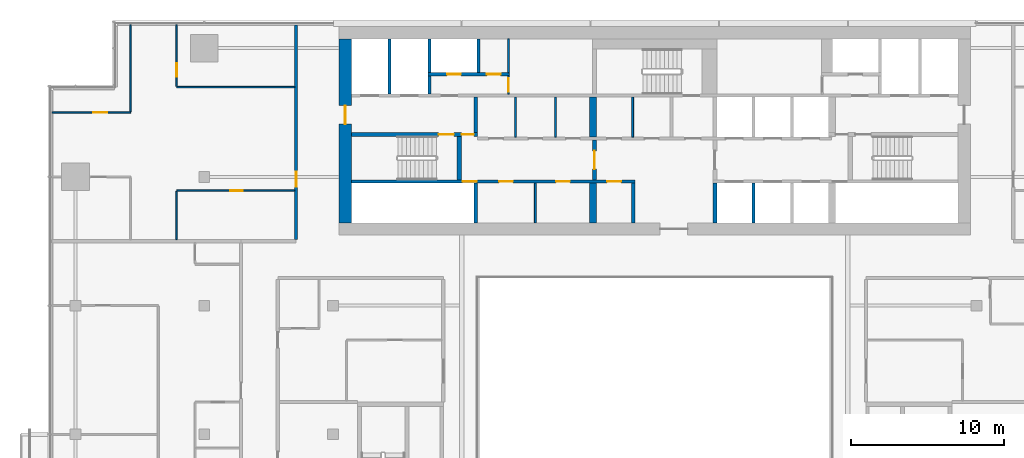
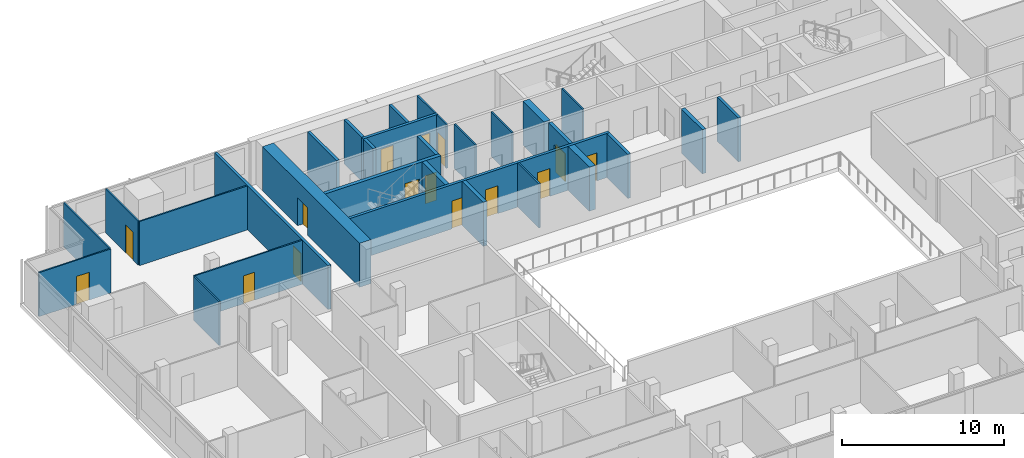
# One storey, part 19 of 29: 30 walls, 15 doors, 15 openings.
"""IFC4 building model written with IfcOpenShell, lengths in metres."""

from ifc_helpers import new_model, si_unit, direction, frame, frame_2d, origin, place, context, subcontext, project, spatial, rectangle, extrude, material, layer, layer_set, type_object, element, fill, save


model = new_model("IFC4")

# Units and contexts
model_context = context("Model", 3, precision=1e-05, world=origin(), true_north=direction((0.0, 1.0)))
body_context = subcontext(model_context, "Body", "Model", "MODEL_VIEW")
ifc_project = project(units=[si_unit("LENGTHUNIT", "METRE"), si_unit("AREAUNIT", "SQUARE_METRE"), si_unit("VOLUMEUNIT", "CUBIC_METRE"), si_unit("PLANEANGLEUNIT", "RADIAN"), si_unit("MASSUNIT", "GRAM", prefix="KILO")], contexts=[model_context])

# Site, building, storey
site_placement = place(None, origin())
site = spatial("IfcSite", under=ifc_project, at=site_placement, CompositionType="ELEMENT")
building_placement = place(site_placement, origin())
building = spatial("IfcBuilding", under=site, at=building_placement, Name="Saffron Gate Tower", CompositionType="ELEMENT")
storey_placement = place(building_placement, frame((0.0, 0.0, 187.050048828125)))
storey = spatial("IfcBuildingStorey", under=building, at=storey_placement, Name="L46", CompositionType="ELEMENT", Elevation=187.050048828125)

# Wall
ifc_material_1 = material(Name="Gypsum board partition on steel studs", Category="steel")
ifc_layer_1 = layer(ifc_material_1, 0.199951171875)
ifc_layer_set_1 = layer_set([ifc_layer_1], Name="CW10 Core partition 200")
wall_type_1 = type_object("IfcWallType", Name="CW10 Core partition 200", PredefinedType="PARTITIONING", material=ifc_layer_set_1)
wall_1_placement = place(storey_placement, frame((86.199951171875, 62.39990234375, 0.0), z_axis=(0.0, 0.0, 1.0), x_axis=(0.0, 1.0, 0.0)))
element("IfcWall", 1, at=wall_1_placement, inside=storey, type_object=wall_type_1, Name="Wall CW10-L46-8", PredefinedType="PARTITIONING", context=body_context, shape_type="SweptSolid", body=[
    extrude(rectangle(XDim=2.60009765625, YDim=0.199951171875, at=frame_2d((1.300048828125, 0.0))), origin(), (0.0, 0.0, 1.0), 3.320068359375),
])

# Wall, opening, door
ifc_material_2 = material(Name="Concrete C60", Category="concrete")
ifc_layer_2 = layer(ifc_material_2, 0.800048828125)
ifc_layer_set_2 = layer_set([ifc_layer_2], Name="CW13 RC core wall 800 C60")
wall_type_2 = type_object("IfcWallType", Name="CW13 RC core wall 800 C60", PredefinedType="SOLIDWALL", material=ifc_layer_set_2)
wall_2_placement = place(storey_placement, frame((67.39990234375, 62.39990234375, 0.0), z_axis=(0.0, 0.0, 1.0), x_axis=(0.0, 1.0, 0.0)))
wall_2 = element("IfcWall", 2, at=wall_2_placement, inside=storey, type_object=wall_type_2, Name="Wall CW13-L46-3", PredefinedType="SOLIDWALL", context=body_context, shape_type="SweptSolid", body=[
    extrude(rectangle(XDim=12.0, YDim=0.800048828125, at=frame_2d((6.0, 0.0))), origin(), (0.0, 0.0, 1.0), 3.320068359375),
])
opening_1_placement = place(wall_2_placement, frame((6.449951171875, 0.0, 0.0)))
opening_1 = element("IfcOpeningElement", 3, at=opening_1_placement, cuts=wall_2, Name="Opening CR-10", PredefinedType="OPENING", context=body_context, shape_type="SweptSolid", body=[
    extrude(rectangle(XDim=1.199951171875, YDim=2.10009765625, at=frame_2d((0.60009765625, 1.050048828125))), frame((0.0, 0.41015625, 0.0), z_axis=(0.0, -1.0, 0.0), x_axis=(1.0, 0.0, 0.0)), (0.0, 0.0, 1.0), 0.820068359375),
])
ifc_material_3 = material(Name="Steel fire door set", Category="steel")
door_type_1 = type_object("IfcDoorType", Name="CD7 Core entrance door 1200x2100 EI 120", OperationType="NOTDEFINED", PredefinedType="DOOR", material=ifc_material_3)
door_1_placement = place(opening_1_placement, origin())
door_1 = element("IfcDoor", 4, at=door_1_placement, inside=storey, type_object=door_type_1, Name="DOOR CR-10", OperationType="SINGLE_SWING_LEFT", OverallHeight=2.10009765625, OverallWidth=1.199951171875, PredefinedType="DOOR", context=body_context, shape_type="SweptSolid", body=[
    extrude(rectangle(XDim=1.199951171875, YDim=2.10009765625, at=frame_2d((0.60009765625, 1.050048828125))), frame((0.0, 0.02490234375, 0.0), z_axis=(0.0, -1.0, 0.0), x_axis=(1.0, 0.0, 0.0)), (0.0, 0.0, 1.0), 0.050048828125),
])
fill(opening_1, door_1)

# Walls
ifc_layer_3 = layer(ifc_material_2, 0.25)
ifc_layer_set_3 = layer_set([ifc_layer_3], Name="CW14 RC core wall 250 C60")
wall_type_3 = type_object("IfcWallType", Name="CW14 RC core wall 250 C60", PredefinedType="SOLIDWALL", material=ifc_layer_set_3)
for number, where, z_axis, x_axis, name in (
    (5, (75.925048828125, 62.39990234375, 0.0), (0.0, 0.0, 1.0), (0.0, 1.0, 0.0), "Wall CW14-L46-5"),
    (6, (91.52490234375, 62.39990234375, 0.0), (0.0, 0.0, 1.0), (0.0, 1.0, 0.0), "Wall CW14-L46-9"),
):
    element("IfcWall", number, at=place(storey_placement, frame(where, z_axis=z_axis, x_axis=x_axis)), inside=storey, type_object=wall_type_3, Name=name, PredefinedType="SOLIDWALL", context=body_context, shape_type="SweptSolid", body=[
        extrude(rectangle(XDim=2.60009765625, YDim=0.25, at=frame_2d((1.300048828125, 0.0))), origin(), (0.0, 0.0, 1.0), 3.320068359375),
    ])

# Wall, opening, door
wall_3_placement = place(storey_placement, frame((83.675048828125, 65.199951171875, 0.0), z_axis=(0.0, 0.0, 1.0), x_axis=(0.0, 1.0, 0.0)))
wall_3 = element("IfcWall", 7, at=wall_3_placement, inside=storey, type_object=wall_type_3, Name="Wall CW14-L46-16", PredefinedType="SOLIDWALL", context=body_context, shape_type="SweptSolid", body=[
    extrude(rectangle(XDim=2.60009765625, YDim=0.25, at=frame_2d((1.300048828125, 0.0))), origin(), (0.0, 0.0, 1.0), 3.320068359375),
])
opening_2_placement = place(wall_3_placement, frame((0.699951171875, 0.0, 0.0)))
opening_2 = element("IfcOpeningElement", 8, at=opening_2_placement, cuts=wall_3, Name="Opening CR-07", PredefinedType="OPENING", context=body_context, shape_type="SweptSolid", body=[
    extrude(rectangle(XDim=1.199951171875, YDim=2.10009765625, at=frame_2d((0.60009765625, 1.050048828125))), frame((0.0, 0.135009765625, 0.0), z_axis=(0.0, -1.0, 0.0), x_axis=(1.0, 0.0, 0.0)), (0.0, 0.0, 1.0), 0.27001953125),
])
door_type_2 = type_object("IfcDoorType", Name="CD3 Lobby door 1200x2100 EI 120", OperationType="NOTDEFINED", PredefinedType="DOOR", material=ifc_material_3)
door_2_placement = place(opening_2_placement, origin())
door_2 = element("IfcDoor", 9, at=door_2_placement, inside=storey, type_object=door_type_2, Name="DOOR CR-07", OperationType="SINGLE_SWING_RIGHT", OverallHeight=2.10009765625, OverallWidth=1.199951171875, PredefinedType="DOOR", context=body_context, shape_type="SweptSolid", body=[
    extrude(rectangle(XDim=1.199951171875, YDim=2.10009765625, at=frame_2d((0.60009765625, 1.050048828125))), frame((0.0, 0.02490234375, 0.0), z_axis=(0.0, -1.0, 0.0), x_axis=(1.0, 0.0, 0.0)), (0.0, 0.0, 1.0), 0.050048828125),
])
fill(opening_2, door_2)

# Wall, openings, doors
wall_4_placement = place(storey_placement, frame((67.800048828125, 68.175048828125, 0.0), z_axis=(0.0, 0.0, 1.0), x_axis=(1.0, 0.0, 0.0)))
wall_4 = element("IfcWall", 10, at=wall_4_placement, inside=storey, type_object=wall_type_3, Name="Wall CW14-L46-29", PredefinedType="SOLIDWALL", context=body_context, shape_type="SweptSolid", body=[
    extrude(rectangle(XDim=8.25, YDim=0.25, at=frame_2d((4.125, 0.0))), origin(), (0.0, 0.0, 1.0), 3.320068359375),
])
opening_3_placement = place(wall_4_placement, frame((5.699951171875, 0.0, 0.0)))
opening_3 = element("IfcOpeningElement", 11, at=opening_3_placement, cuts=wall_4, Name="Opening CR-15", PredefinedType="OPENING", context=body_context, shape_type="SweptSolid", body=[
    extrude(rectangle(XDim=1.0, YDim=2.10009765625, at=frame_2d((0.5, 1.050048828125))), frame((0.0, 0.135009765625, 0.0), z_axis=(0.0, -1.0, 0.0), x_axis=(1.0, 0.0, 0.0)), (0.0, 0.0, 1.0), 0.27001953125),
])
opening_4_placement = place(wall_4_placement, frame((7.199951171875, 0.0, 0.0)))
opening_4 = element("IfcOpeningElement", 12, at=opening_4_placement, cuts=wall_4, Name="Opening CR-06", PredefinedType="OPENING", context=body_context, shape_type="SweptSolid", body=[
    extrude(rectangle(XDim=0.800048828125, YDim=2.10009765625, at=frame_2d((0.39990234375, 1.050048828125))), frame((0.0, 0.135009765625, 0.0), z_axis=(0.0, -1.0, 0.0), x_axis=(1.0, 0.0, 0.0)), (0.0, 0.0, 1.0), 0.27001953125),
])
door_type_3 = type_object("IfcDoorType", Name="CD5 Stair door 1000x2100 EI 120", OperationType="NOTDEFINED", PredefinedType="DOOR", material=ifc_material_3)
door_3_placement = place(opening_3_placement, origin())
door_3 = element("IfcDoor", 13, at=door_3_placement, inside=storey, type_object=door_type_3, Name="DOOR CR-15", OperationType="SINGLE_SWING_RIGHT", OverallHeight=2.10009765625, OverallWidth=1.0, PredefinedType="DOOR", context=body_context, shape_type="SweptSolid", body=[
    extrude(rectangle(XDim=1.0, YDim=2.10009765625, at=frame_2d((0.5, 1.050048828125))), frame((0.0, 0.02490234375, 0.0), z_axis=(0.0, -1.0, 0.0), x_axis=(1.0, 0.0, 0.0)), (0.0, 0.0, 1.0), 0.050048828125),
])
fill(opening_3, door_3)
door_type_4 = type_object("IfcDoorType", Name="CD6 Lobby door 800x2100 EI 120", OperationType="NOTDEFINED", PredefinedType="DOOR", material=ifc_material_3)
door_4_placement = place(opening_4_placement, origin())
door_4 = element("IfcDoor", 14, at=door_4_placement, inside=storey, type_object=door_type_4, Name="DOOR CR-06", OperationType="SINGLE_SWING_LEFT", OverallHeight=2.10009765625, OverallWidth=0.800048828125, PredefinedType="DOOR", context=body_context, shape_type="SweptSolid", body=[
    extrude(rectangle(XDim=0.800048828125, YDim=2.10009765625, at=frame_2d((0.39990234375, 1.050048828125))), frame((0.0, 0.02490234375, 0.0), z_axis=(0.0, -1.0, 0.0), x_axis=(1.0, 0.0, 0.0)), (0.0, 0.0, 1.0), 0.050048828125),
])
fill(opening_4, door_4)

# Walls
wall_5_placement = place(storey_placement, frame((75.925048828125, 68.300048828125, 0.0), z_axis=(0.0, 0.0, 1.0), x_axis=(0.0, 1.0, 0.0)))
element("IfcWall", 15, at=wall_5_placement, inside=storey, type_object=wall_type_3, Name="Wall CW14-L46-31", PredefinedType="SOLIDWALL", context=body_context, shape_type="SweptSolid", body=[
    extrude(rectangle(XDim=2.300048828125, YDim=0.25, at=frame_2d((1.14990234375, 0.0))), origin(), (0.0, 0.0, 1.0), 3.320068359375),
])
ifc_layer_4 = layer(ifc_material_2, 0.199951171875)
ifc_layer_set_4 = layer_set([ifc_layer_4], Name="CW15 RC core wall 200 C60")
wall_type_4 = type_object("IfcWallType", Name="CW15 RC core wall 200 C60", PredefinedType="SOLIDWALL", material=ifc_layer_set_4)
wall_6_placement = place(storey_placement, frame((94.050048828125, 62.39990234375, 0.0), z_axis=(0.0, 0.0, 1.0), x_axis=(0.0, 1.0, 0.0)))
element("IfcWall", 16, at=wall_6_placement, inside=storey, type_object=wall_type_4, Name="Wall CW15-L46-10", PredefinedType="SOLIDWALL", context=body_context, shape_type="SweptSolid", body=[
    extrude(rectangle(XDim=2.60009765625, YDim=0.199951171875, at=frame_2d((1.300048828125, 0.0))), origin(), (0.0, 0.0, 1.0), 3.320068359375),
])

# Wall, openings, doors
wall_7_placement = place(storey_placement, frame((67.800048828125, 65.10009765625, 0.0), z_axis=(0.0, 0.0, 1.0), x_axis=(1.0, 0.0, 0.0)))
wall_7 = element("IfcWall", 17, at=wall_7_placement, inside=storey, type_object=wall_type_4, Name="Wall CW15-L46-13", PredefinedType="SOLIDWALL", context=body_context, shape_type="SweptSolid", body=[
    extrude(rectangle(XDim=18.5, YDim=0.199951171875, at=frame_2d((9.25, 0.0))), origin(), (0.0, 0.0, 1.0), 3.320068359375),
])
opening_5_placement = place(wall_7_placement, frame((7.27001953125, 0.0, 0.0)))
opening_5 = element("IfcOpeningElement", 18, at=opening_5_placement, cuts=wall_7, Name="Opening CR-49", PredefinedType="OPENING", context=body_context, shape_type="SweptSolid", body=[
    extrude(rectangle(XDim=0.89990234375, YDim=2.10009765625, at=frame_2d((0.449951171875, 1.050048828125))), frame((0.0, 0.10986328125, 0.0), z_axis=(0.0, -1.0, 0.0), x_axis=(1.0, 0.0, 0.0)), (0.0, 0.0, 1.0), 0.219970703125),
])
opening_6_placement = place(wall_7_placement, frame((9.64990234375, 0.0, 0.0)))
opening_6 = element("IfcOpeningElement", 19, at=opening_6_placement, cuts=wall_7, Name="Opening CR-64", PredefinedType="OPENING", context=body_context, shape_type="SweptSolid", body=[
    extrude(rectangle(XDim=0.89990234375, YDim=2.10009765625, at=frame_2d((0.449951171875, 1.050048828125))), frame((0.0, 0.10986328125, 0.0), z_axis=(0.0, -1.0, 0.0), x_axis=(1.0, 0.0, 0.0)), (0.0, 0.0, 1.0), 0.219970703125),
])
opening_7_placement = place(wall_7_placement, frame((13.360107421875, 0.0, 0.0)))
opening_7 = element("IfcOpeningElement", 20, at=opening_7_placement, cuts=wall_7, Name="Opening CR-65", PredefinedType="OPENING", context=body_context, shape_type="SweptSolid", body=[
    extrude(rectangle(XDim=0.89990234375, YDim=2.10009765625, at=frame_2d((0.449951171875, 1.050048828125))), frame((0.0, 0.10986328125, 0.0), z_axis=(0.0, -1.0, 0.0), x_axis=(1.0, 0.0, 0.0)), (0.0, 0.0, 1.0), 0.219970703125),
])
opening_8_placement = place(wall_7_placement, frame((16.699951171875, 0.0, 0.0)))
opening_8 = element("IfcOpeningElement", 21, at=opening_8_placement, cuts=wall_7, Name="Opening CR-69", PredefinedType="OPENING", context=body_context, shape_type="SweptSolid", body=[
    extrude(rectangle(XDim=0.89990234375, YDim=2.10009765625, at=frame_2d((0.449951171875, 1.050048828125))), frame((0.0, 0.10986328125, 0.0), z_axis=(0.0, -1.0, 0.0), x_axis=(1.0, 0.0, 0.0)), (0.0, 0.0, 1.0), 0.219970703125),
])
door_type_5 = type_object("IfcDoorType", Name="CD2 Riser door 900x2100 EI 60", OperationType="NOTDEFINED", PredefinedType="DOOR", material=ifc_material_3)
door_5_placement = place(opening_5_placement, origin())
door_5 = element("IfcDoor", 22, at=door_5_placement, inside=storey, type_object=door_type_5, Name="DOOR CR-49", OperationType="SINGLE_SWING_LEFT", OverallHeight=2.10009765625, OverallWidth=0.89990234375, PredefinedType="DOOR", context=body_context, shape_type="SweptSolid", body=[
    extrude(rectangle(XDim=0.89990234375, YDim=2.10009765625, at=frame_2d((0.449951171875, 1.050048828125))), frame((0.0, 0.02490234375, 0.0), z_axis=(0.0, -1.0, 0.0), x_axis=(1.0, 0.0, 0.0)), (0.0, 0.0, 1.0), 0.050048828125),
])
fill(opening_5, door_5)
door_type_6 = type_object("IfcDoorType", Name="CD9 Room door 900x2100 EI 60", OperationType="NOTDEFINED", PredefinedType="DOOR", material=ifc_material_3)
door_6_placement = place(opening_6_placement, origin())
door_6 = element("IfcDoor", 23, at=door_6_placement, inside=storey, type_object=door_type_6, Name="DOOR CR-64", OperationType="SINGLE_SWING_RIGHT", OverallHeight=2.10009765625, OverallWidth=0.89990234375, PredefinedType="DOOR", context=body_context, shape_type="SweptSolid", body=[
    extrude(rectangle(XDim=0.89990234375, YDim=2.10009765625, at=frame_2d((0.449951171875, 1.050048828125))), frame((0.0, 0.02490234375, 0.0), z_axis=(0.0, -1.0, 0.0), x_axis=(1.0, 0.0, 0.0)), (0.0, 0.0, 1.0), 0.050048828125),
])
fill(opening_6, door_6)
door_7_placement = place(opening_7_placement, origin())
door_7 = element("IfcDoor", 24, at=door_7_placement, inside=storey, type_object=door_type_6, Name="DOOR CR-65", OperationType="SINGLE_SWING_RIGHT", OverallHeight=2.10009765625, OverallWidth=0.89990234375, PredefinedType="DOOR", context=body_context, shape_type="SweptSolid", body=[
    extrude(rectangle(XDim=0.89990234375, YDim=2.10009765625, at=frame_2d((0.449951171875, 1.050048828125))), frame((0.0, 0.02490234375, 0.0), z_axis=(0.0, -1.0, 0.0), x_axis=(1.0, 0.0, 0.0)), (0.0, 0.0, 1.0), 0.050048828125),
])
fill(opening_7, door_7)
door_8_placement = place(opening_8_placement, origin())
door_8 = element("IfcDoor", 25, at=door_8_placement, inside=storey, type_object=door_type_6, Name="DOOR CR-69", OperationType="SINGLE_SWING_RIGHT", OverallHeight=2.10009765625, OverallWidth=0.89990234375, PredefinedType="DOOR", context=body_context, shape_type="SweptSolid", body=[
    extrude(rectangle(XDim=0.89990234375, YDim=2.10009765625, at=frame_2d((0.449951171875, 1.050048828125))), frame((0.0, 0.02490234375, 0.0), z_axis=(0.0, -1.0, 0.0), x_axis=(1.0, 0.0, 0.0)), (0.0, 0.0, 1.0), 0.050048828125),
])
fill(opening_8, door_8)

# Walls
wall_8_placement = place(storey_placement, frame((70.300048828125, 70.800048828125, 0.0), z_axis=(0.0, 0.0, 1.0), x_axis=(0.0, 1.0, 0.0)))
element("IfcWall", 26, at=wall_8_placement, inside=storey, type_object=wall_type_4, Name="Wall CW15-L46-34", PredefinedType="SOLIDWALL", context=body_context, shape_type="SweptSolid", body=[
    extrude(rectangle(XDim=3.599853515625, YDim=0.199951171875, at=frame_2d((1.7998046875, 0.0))), origin(), (0.0, 0.0, 1.0), 3.320068359375),
])
wall_9_placement = place(storey_placement, frame((72.89990234375, 70.800048828125, 0.0), z_axis=(0.0, 0.0, 1.0), x_axis=(0.0, 1.0, 0.0)))
element("IfcWall", 27, at=wall_9_placement, inside=storey, type_object=wall_type_4, Name="Wall CW15-L46-35", PredefinedType="SOLIDWALL", context=body_context, shape_type="SweptSolid", body=[
    extrude(rectangle(XDim=1.199951171875, YDim=0.199951171875, at=frame_2d((0.60009765625, 0.0))), origin(), (0.0, 0.0, 1.0), 3.320068359375),
])

# Wall, openings, doors
wall_10_placement = place(storey_placement, frame((72.800048828125, 72.10009765625, 0.0), z_axis=(0.0, 0.0, 1.0), x_axis=(1.0, 0.0, 0.0)))
wall_10 = element("IfcWall", 28, at=wall_10_placement, inside=storey, type_object=wall_type_4, Name="Wall CW15-L46-42", PredefinedType="SOLIDWALL", context=body_context, shape_type="SweptSolid", body=[
    extrude(rectangle(XDim=5.320068359375, YDim=0.199951171875, at=frame_2d((2.66015625, 0.0))), origin(), (0.0, 0.0, 1.0), 3.320068359375),
])
opening_9_placement = place(wall_10_placement, frame((1.25, 0.0, 0.0)))
opening_9 = element("IfcOpeningElement", 29, at=opening_9_placement, cuts=wall_10, Name="Opening CR-71", PredefinedType="OPENING", context=body_context, shape_type="SweptSolid", body=[
    extrude(rectangle(XDim=0.89990234375, YDim=2.10009765625, at=frame_2d((0.449951171875, 1.050048828125))), frame((0.0, 0.10986328125, 0.0), z_axis=(0.0, -1.0, 0.0), x_axis=(1.0, 0.0, 0.0)), (0.0, 0.0, 1.0), 0.219970703125),
])
opening_10_placement = place(wall_10_placement, frame((3.85009765625, 0.0, 0.0)))
opening_10 = element("IfcOpeningElement", 30, at=opening_10_placement, cuts=wall_10, Name="Opening CR-55", PredefinedType="OPENING", context=body_context, shape_type="SweptSolid", body=[
    extrude(rectangle(XDim=0.89990234375, YDim=2.10009765625, at=frame_2d((0.449951171875, 1.050048828125))), frame((0.0, 0.10986328125, 0.0), z_axis=(0.0, -1.0, 0.0), x_axis=(1.0, 0.0, 0.0)), (0.0, 0.0, 1.0), 0.219970703125),
])
door_9_placement = place(opening_9_placement, origin())
door_9 = element("IfcDoor", 31, at=door_9_placement, inside=storey, type_object=door_type_5, Name="DOOR CR-71", OperationType="SINGLE_SWING_LEFT", OverallHeight=2.10009765625, OverallWidth=0.89990234375, PredefinedType="DOOR", context=body_context, shape_type="SweptSolid", body=[
    extrude(rectangle(XDim=0.89990234375, YDim=2.10009765625, at=frame_2d((0.449951171875, 1.050048828125))), frame((0.0, 0.02490234375, 0.0), z_axis=(0.0, -1.0, 0.0), x_axis=(1.0, 0.0, 0.0)), (0.0, 0.0, 1.0), 0.050048828125),
])
fill(opening_9, door_9)
door_10_placement = place(opening_10_placement, origin())
door_10 = element("IfcDoor", 32, at=door_10_placement, inside=storey, type_object=door_type_6, Name="DOOR CR-55", OperationType="SINGLE_SWING_LEFT", OverallHeight=2.10009765625, OverallWidth=0.89990234375, PredefinedType="DOOR", context=body_context, shape_type="SweptSolid", body=[
    extrude(rectangle(XDim=0.89990234375, YDim=2.10009765625, at=frame_2d((0.449951171875, 1.050048828125))), frame((0.0, 0.02490234375, 0.0), z_axis=(0.0, -1.0, 0.0), x_axis=(1.0, 0.0, 0.0)), (0.0, 0.0, 1.0), 0.050048828125),
])
fill(opening_10, door_10)

# Walls
for number, where, z_axis, x_axis, name in (
    (33, (72.89990234375, 72.199951171875, 0.0), (0.0, 0.0, 1.0), (0.0, 1.0, 0.0), "Wall CW15-L46-44"),
    (34, (76.10009765625, 72.199951171875, 0.0), (0.0, 0.0, 1.0), (0.0, 1.0, 0.0), "Wall CW15-L46-45"),
):
    element("IfcWall", number, at=place(storey_placement, frame(where, z_axis=z_axis, x_axis=x_axis)), inside=storey, type_object=wall_type_4, Name=name, PredefinedType="SOLIDWALL", context=body_context, shape_type="SweptSolid", body=[
        extrude(rectangle(XDim=2.199951171875, YDim=0.199951171875, at=frame_2d((1.10009765625, 0.0))), origin(), (0.0, 0.0, 1.0), 3.320068359375),
    ])
ifc_layer_5 = layer(ifc_material_2, 0.449951171875)
ifc_layer_set_5 = layer_set([ifc_layer_5], Name="CW16 RC core wall 450 C60")
wall_type_5 = type_object("IfcWallType", Name="CW16 RC core wall 450 C60", PredefinedType="SOLIDWALL", material=ifc_layer_set_5)
for number, where, z_axis, x_axis, name in (
    (35, (83.574951171875, 62.39990234375, 0.0), (0.0, 0.0, 1.0), (0.0, 1.0, 0.0), "Wall CW16-L46-7"),
    (36, (83.574951171875, 68.0, 0.0), (0.0, 0.0, 1.0), (0.0, 1.0, 0.0), "Wall CW16-L46-22"),
):
    element("IfcWall", number, at=place(storey_placement, frame(where, z_axis=z_axis, x_axis=x_axis)), inside=storey, type_object=wall_type_5, Name=name, PredefinedType="SOLIDWALL", context=body_context, shape_type="SweptSolid", body=[
        extrude(rectangle(XDim=2.60009765625, YDim=0.449951171875, at=frame_2d((1.300048828125, 0.0))), origin(), (0.0, 0.0, 1.0), 3.320068359375),
    ])
ifc_layer_6 = layer(ifc_material_2, 0.300048828125)
ifc_layer_set_6 = layer_set([ifc_layer_6], Name="CW17 RC core wall 300 C60")
wall_type_6 = type_object("IfcWallType", Name="CW17 RC core wall 300 C60", PredefinedType="SOLIDWALL", material=ifc_layer_set_6)
wall_11_placement = place(storey_placement, frame((74.85009765625, 65.199951171875, 0.0), z_axis=(0.0, 0.0, 1.0), x_axis=(0.0, 1.0, 0.0)))
element("IfcWall", 37, at=wall_11_placement, inside=storey, type_object=wall_type_6, Name="Wall CW17-L46-15", PredefinedType="SOLIDWALL", context=body_context, shape_type="SweptSolid", body=[
    extrude(rectangle(XDim=2.85009765625, YDim=0.300048828125, at=frame_2d((1.425048828125, 0.0))), origin(), (0.0, 0.0, 1.0), 3.320068359375),
])
ifc_layer_7 = layer(ifc_material_1, 0.1201171875)
ifc_layer_set_7 = layer_set([ifc_layer_7], Name="CW8 Core partition 120")
wall_type_7 = type_object("IfcWallType", Name="CW8 Core partition 120", PredefinedType="PARTITIONING", material=ifc_layer_set_7)
for number, where, z_axis, x_axis, name in (
    (38, (79.81005859375, 62.39990234375, 0.0), (0.0, 0.0, 1.0), (0.0, 1.0, 0.0), "Wall CW8-L46-6"),
    (39, (78.510009765625, 68.0, 0.0), (0.0, 0.0, 1.0), (0.0, 1.0, 0.0), "Wall CW8-L46-20"),
    (40, (81.1298828125, 68.0, 0.0), (0.0, 0.0, 1.0), (0.0, 1.0, 0.0), "Wall CW8-L46-21"),
    (41, (86.159912109375, 68.0, 0.0), (0.0, 0.0, 1.0), (0.0, 1.0, 0.0), "Wall CW8-L46-23"),
):
    element("IfcWall", number, at=place(storey_placement, frame(where, z_axis=z_axis, x_axis=x_axis)), inside=storey, type_object=wall_type_7, Name=name, PredefinedType="PARTITIONING", context=body_context, shape_type="SweptSolid", body=[
        extrude(rectangle(XDim=2.60009765625, YDim=0.1201171875, at=frame_2d((1.300048828125, 0.0))), origin(), (0.0, 0.0, 1.0), 3.320068359375),
    ])

# Wall, opening, door
wall_12_placement = place(storey_placement, frame((78.06005859375, 70.800048828125, 0.0), z_axis=(0.0, 0.0, 1.0), x_axis=(0.0, 1.0, 0.0)))
wall_12 = element("IfcWall", 42, at=wall_12_placement, inside=storey, type_object=wall_type_7, Name="Wall CW8-L46-36", PredefinedType="PARTITIONING", context=body_context, shape_type="SweptSolid", body=[
    extrude(rectangle(XDim=1.199951171875, YDim=0.1201171875, at=frame_2d((0.60009765625, 0.0))), origin(), (0.0, 0.0, 1.0), 3.320068359375),
])
opening_11_placement = place(wall_12_placement, frame((0.14990234375, 0.0, 0.0)))
opening_11 = element("IfcOpeningElement", 43, at=opening_11_placement, cuts=wall_12, Name="Opening CR-60", PredefinedType="OPENING", context=body_context, shape_type="SweptSolid", body=[
    extrude(rectangle(XDim=0.89990234375, YDim=2.10009765625, at=frame_2d((0.449951171875, 1.050048828125))), frame((0.0, 0.070068359375, 0.0), z_axis=(0.0, -1.0, 0.0), x_axis=(1.0, 0.0, 0.0)), (0.0, 0.0, 1.0), 0.14013671875),
])
door_11_placement = place(opening_11_placement, origin())
door_11 = element("IfcDoor", 44, at=door_11_placement, inside=storey, type_object=door_type_6, Name="DOOR CR-60", OperationType="SINGLE_SWING_RIGHT", OverallHeight=2.10009765625, OverallWidth=0.89990234375, PredefinedType="DOOR", context=body_context, shape_type="SweptSolid", body=[
    extrude(rectangle(XDim=0.89990234375, YDim=2.10009765625, at=frame_2d((0.449951171875, 1.050048828125))), frame((0.0, 0.02490234375, 0.0), z_axis=(0.0, -1.0, 0.0), x_axis=(1.0, 0.0, 0.0)), (0.0, 0.0, 1.0), 0.050048828125),
])
fill(opening_11, door_11)

# Wall
wall_13_placement = place(storey_placement, frame((78.06005859375, 72.199951171875, 0.0), z_axis=(0.0, 0.0, 1.0), x_axis=(0.0, 1.0, 0.0)))
element("IfcWall", 45, at=wall_13_placement, inside=storey, type_object=wall_type_7, Name="Wall CW8-L46-46", PredefinedType="PARTITIONING", context=body_context, shape_type="SweptSolid", body=[
    extrude(rectangle(XDim=2.199951171875, YDim=0.1201171875, at=frame_2d((1.10009765625, 0.0))), origin(), (0.0, 0.0, 1.0), 3.320068359375),
])

# Wall, opening, door
ifc_material_4 = material(Name="Plasterboard on steel studs", Category="steel")
ifc_layer_8 = layer(ifc_material_4, 0.10009765625)
ifc_layer_set_8 = layer_set([ifc_layer_8], Name="PW1 Partition 100")
wall_type_8 = type_object("IfcWallType", Name="PW1 Partition 100", PredefinedType="PARTITIONING", material=ifc_layer_set_8)
wall_14_placement = place(storey_placement, frame((64.10009765625, 64.5, 0.0), z_axis=(0.0, 0.0, 1.0), x_axis=(-1.0, 0.0, 0.0)))
wall_14 = element("IfcWall", 46, at=wall_14_placement, inside=storey, type_object=wall_type_8, Name="Partition C4-47", PredefinedType="PARTITIONING", context=body_context, shape_type="SweptSolid", body=[
    extrude(rectangle(XDim=7.7001953125, YDim=0.10009765625, at=frame_2d((3.85009765625, 0.0))), origin(), (0.0, 0.0, 1.0), 3.320068359375),
])
opening_12_placement = place(wall_14_placement, frame((3.39990234375, 0.0, 0.0)))
opening_12 = element("IfcOpeningElement", 47, at=opening_12_placement, cuts=wall_14, Name="Opening C4-48", PredefinedType="OPENING", context=body_context, shape_type="SweptSolid", body=[
    extrude(rectangle(XDim=0.800048828125, YDim=2.10009765625, at=frame_2d((0.39990234375, 1.050048828125))), frame((0.0, 0.06005859375, 0.0), z_axis=(0.0, -1.0, 0.0), x_axis=(1.0, 0.0, 0.0)), (0.0, 0.0, 1.0), 0.1201171875),
])
ifc_material_5 = material(Name="Timber door set", Category="wood")
door_type_7 = type_object("IfcDoorType", Name="RD2 Bathroom door 800x2100", OperationType="NOTDEFINED", PredefinedType="DOOR", material=ifc_material_5)
door_12_placement = place(opening_12_placement, origin())
door_12 = element("IfcDoor", 48, at=door_12_placement, inside=storey, type_object=door_type_7, Name="Door C4-48", OperationType="SINGLE_SWING_LEFT", OverallHeight=2.10009765625, OverallWidth=0.800048828125, PredefinedType="DOOR", context=body_context, shape_type="SweptSolid", body=[
    extrude(rectangle(XDim=0.800048828125, YDim=2.10009765625, at=frame_2d((0.39990234375, 1.050048828125))), frame((0.0, 0.02490234375, 0.0), z_axis=(0.0, -1.0, 0.0), x_axis=(1.0, 0.0, 0.0)), (0.0, 0.0, 1.0), 0.050048828125),
])
fill(opening_12, door_12)

wall_15_placement = place(storey_placement, frame((48.280029296875, 69.60009765625, 0.0), z_axis=(0.0, 0.0, 1.0), x_axis=(1.0, 0.0, 0.0)))
wall_15 = element("IfcWall", 49, at=wall_15_placement, inside=storey, type_object=wall_type_8, Name="Partition C4-53", PredefinedType="PARTITIONING", context=body_context, shape_type="SweptSolid", body=[
    extrude(rectangle(XDim=5.119873046875, YDim=0.10009765625, at=frame_2d((2.56005859375, 0.0))), origin(), (0.0, 0.0, 1.0), 3.320068359375),
])
opening_13_placement = place(wall_15_placement, frame((2.68701171875, 0.0, 0.0)))
opening_13 = element("IfcOpeningElement", 50, at=opening_13_placement, cuts=wall_15, Name="Opening C4-30", PredefinedType="OPENING", context=body_context, shape_type="SweptSolid", body=[
    extrude(rectangle(XDim=0.89990234375, YDim=2.10009765625, at=frame_2d((0.449951171875, 1.050048828125))), frame((0.0, 0.06005859375, 0.0), z_axis=(0.0, -1.0, 0.0), x_axis=(1.0, 0.0, 0.0)), (0.0, 0.0, 1.0), 0.1201171875),
])
door_type_8 = type_object("IfcDoorType", Name="RD1 Room door 900x2100", OperationType="NOTDEFINED", PredefinedType="DOOR", material=ifc_material_5)
door_13_placement = place(opening_13_placement, origin())
door_13 = element("IfcDoor", 51, at=door_13_placement, inside=storey, type_object=door_type_8, Name="Door C4-30", OperationType="SINGLE_SWING_RIGHT", OverallHeight=2.10009765625, OverallWidth=0.89990234375, PredefinedType="DOOR", context=body_context, shape_type="SweptSolid", body=[
    extrude(rectangle(XDim=0.89990234375, YDim=2.10009765625, at=frame_2d((0.449951171875, 1.050048828125))), frame((0.0, 0.02490234375, 0.0), z_axis=(0.0, -1.0, 0.0), x_axis=(1.0, 0.0, 0.0)), (0.0, 0.0, 1.0), 0.050048828125),
])
fill(opening_13, door_13)

# Walls
wall_16_placement = place(storey_placement, frame((56.39990234375, 71.25634765625, 0.0), z_axis=(0.0, 0.0, 1.0), x_axis=(1.0, 0.0, 0.0)))
element("IfcWall", 52, at=wall_16_placement, inside=storey, type_object=wall_type_8, Name="Partition C4-55", PredefinedType="PARTITIONING", context=body_context, shape_type="SweptSolid", body=[
    extrude(rectangle(XDim=7.7001953125, YDim=0.10009765625, at=frame_2d((3.85009765625, 0.0))), origin(), (0.0, 0.0, 1.0), 3.320068359375),
])
wall_17_placement = place(storey_placement, frame((53.39990234375, 75.320068359375, 0.0), z_axis=(0.0, 0.0, 1.0), x_axis=(0.0, -1.0, 0.0)))
element("IfcWall", 53, at=wall_17_placement, inside=storey, type_object=wall_type_8, Name="Partition C4-58", PredefinedType="PARTITIONING", context=body_context, shape_type="SweptSolid", body=[
    extrude(rectangle(XDim=5.670166015625, YDim=0.10009765625, at=frame_2d((2.8349609375, 0.0))), origin(), (0.0, 0.0, 1.0), 3.320068359375),
])
wall_18_placement = place(storey_placement, frame((56.39990234375, 64.449951171875, 0.0), z_axis=(0.0, 0.0, 1.0), x_axis=(0.0, -1.0, 0.0)))
element("IfcWall", 54, at=wall_18_placement, inside=storey, type_object=wall_type_8, Name="Partition C4-62", PredefinedType="PARTITIONING", context=body_context, shape_type="SweptSolid", body=[
    extrude(rectangle(XDim=3.14990234375, YDim=0.10009765625, at=frame_2d((1.574951171875, 0.0))), origin(), (0.0, 0.0, 1.0), 3.320068359375),
])

# Wall, opening, door
wall_19_placement = place(storey_placement, frame((56.39990234375, 75.320068359375, 0.0), z_axis=(0.0, 0.0, 1.0), x_axis=(0.0, -1.0, 0.0)))
wall_19 = element("IfcWall", 55, at=wall_19_placement, inside=storey, type_object=wall_type_8, Name="Partition C4-63", PredefinedType="PARTITIONING", context=body_context, shape_type="SweptSolid", body=[
    extrude(rectangle(XDim=4.013671875, YDim=0.10009765625, at=frame_2d((2.0068359375, 0.0))), origin(), (0.0, 0.0, 1.0), 3.320068359375),
])
opening_14_placement = place(wall_19_placement, frame((2.49169921875, 0.0, 0.0)))
opening_14 = element("IfcOpeningElement", 56, at=opening_14_placement, cuts=wall_19, Name="Opening C4-31", PredefinedType="OPENING", context=body_context, shape_type="SweptSolid", body=[
    extrude(rectangle(XDim=0.89990234375, YDim=2.10009765625, at=frame_2d((0.449951171875, 1.050048828125))), frame((0.0, 0.06005859375, 0.0), z_axis=(0.0, -1.0, 0.0), x_axis=(1.0, 0.0, 0.0)), (0.0, 0.0, 1.0), 0.1201171875),
])
door_14_placement = place(opening_14_placement, origin())
door_14 = element("IfcDoor", 57, at=door_14_placement, inside=storey, type_object=door_type_8, Name="Door C4-31", OperationType="SINGLE_SWING_RIGHT", OverallHeight=2.10009765625, OverallWidth=0.89990234375, PredefinedType="DOOR", context=body_context, shape_type="SweptSolid", body=[
    extrude(rectangle(XDim=0.89990234375, YDim=2.10009765625, at=frame_2d((0.449951171875, 1.050048828125))), frame((0.0, 0.02490234375, 0.0), z_axis=(0.0, -1.0, 0.0), x_axis=(1.0, 0.0, 0.0)), (0.0, 0.0, 1.0), 0.050048828125),
])
fill(opening_14, door_14)

ifc_material_6 = material(Name="Clay brick masonry, rendered", Category="masonry")
ifc_layer_9 = layer(ifc_material_6, 0.199951171875)
ifc_layer_set_9 = layer_set([ifc_layer_9], Name="PW3 Corridor wall 200")
wall_type_9 = type_object("IfcWallType", Name="PW3 Corridor wall 200", PredefinedType="PARTITIONING", material=ifc_layer_set_9)
wall_20_placement = place(storey_placement, frame((64.199951171875, 61.300048828125, 0.0), z_axis=(0.0, 0.0, 1.0), x_axis=(0.0, 1.0, 0.0)))
wall_20 = element("IfcWall", 58, at=wall_20_placement, inside=storey, type_object=wall_type_9, Name="Wall C4-70", PredefinedType="PARTITIONING", context=body_context, shape_type="SweptSolid", body=[
    extrude(rectangle(XDim=14.02001953125, YDim=0.199951171875, at=frame_2d((7.010009765625, 0.0))), origin(), (0.0, 0.0, 1.0), 3.320068359375),
])
opening_15_placement = place(wall_20_placement, frame((3.449951171875, 0.0, 0.0)))
opening_15 = element("IfcOpeningElement", 59, at=opening_15_placement, cuts=wall_20, Name="Opening C4-5", PredefinedType="OPENING", context=body_context, shape_type="SweptSolid", body=[
    extrude(rectangle(XDim=1.0, YDim=2.10009765625, at=frame_2d((0.5, 1.050048828125))), frame((0.0, 0.10986328125, 0.0), z_axis=(0.0, -1.0, 0.0), x_axis=(1.0, 0.0, 0.0)), (0.0, 0.0, 1.0), 0.219970703125),
])
ifc_material_7 = material(Name="Timber fire door set", Category="wood")
door_type_9 = type_object("IfcDoorType", Name="FD1 Flat entry door 1000x2100", OperationType="NOTDEFINED", PredefinedType="DOOR", material=ifc_material_7)
door_15_placement = place(opening_15_placement, origin())
door_15 = element("IfcDoor", 60, at=door_15_placement, inside=storey, type_object=door_type_9, Name="Door C4-5", OperationType="SINGLE_SWING_LEFT", OverallHeight=2.10009765625, OverallWidth=1.0, PredefinedType="DOOR", context=body_context, shape_type="SweptSolid", body=[
    extrude(rectangle(XDim=1.0, YDim=2.10009765625, at=frame_2d((0.5, 1.050048828125))), frame((0.0, 0.02490234375, 0.0), z_axis=(0.0, -1.0, 0.0), x_axis=(1.0, 0.0, 0.0)), (0.0, 0.0, 1.0), 0.050048828125),
])
fill(opening_15, door_15)

save(model, "model.ifc")
